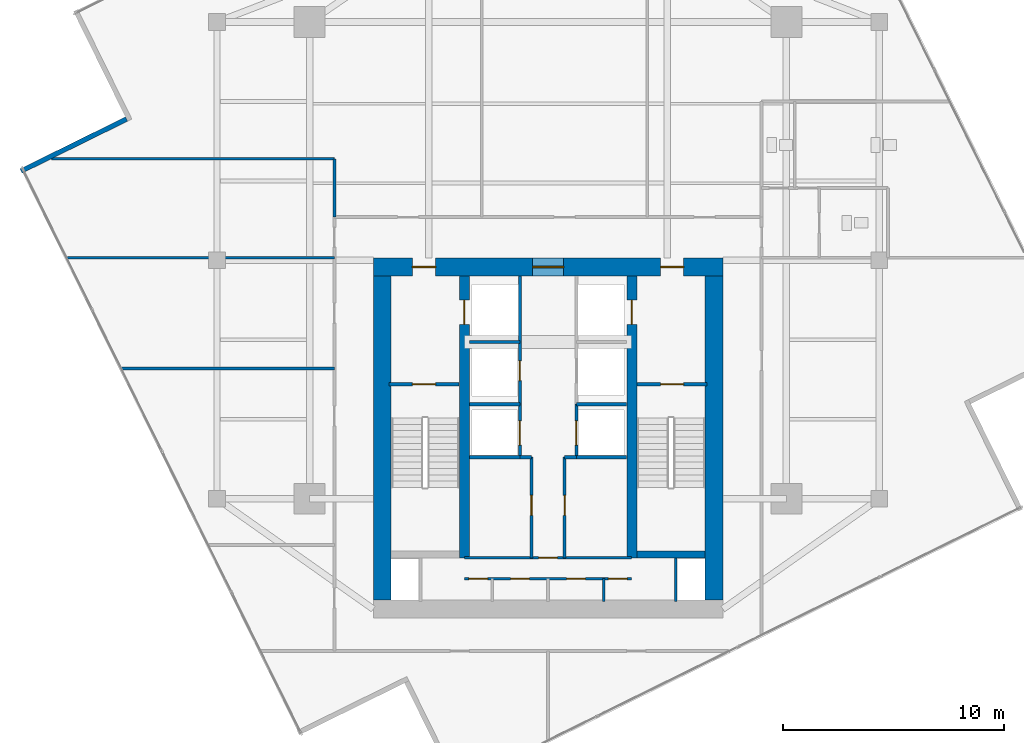
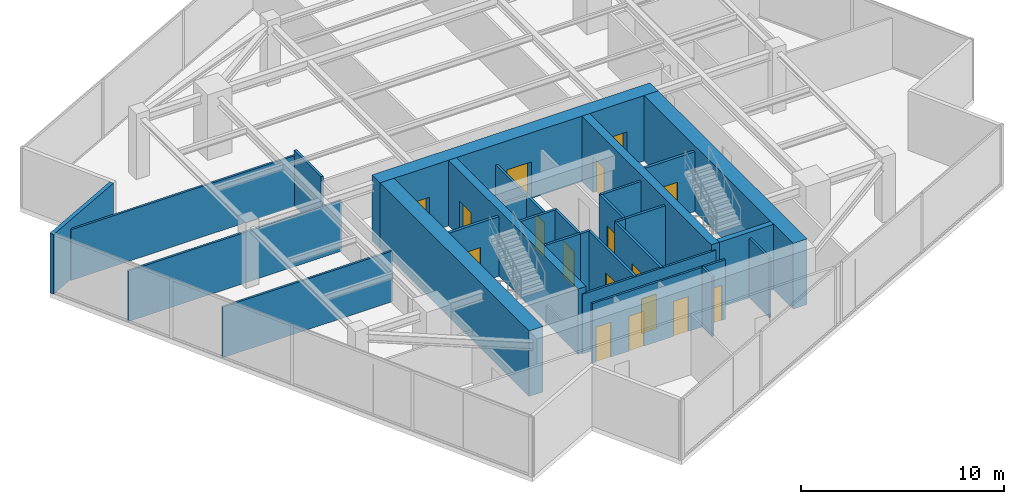
# One storey, part 19 of 22: 29 walls, 17 doors, 17 openings.
"""IFC4 building model written with IfcOpenShell, lengths in metres."""

import ifcopenshell
import ifcopenshell.guid

model = None  # the IFC model being written
_history = None  # IfcOwnerHistory: only IFC2X3 demands one
_inside = {}  # id of a spatial element -> (the spatial element, [elements in it])
_under = {}  # id of a project, library or spatial element -> (it, [spatial elements below it])
_declared = {}  # id of a project -> (the project, [libraries it declares])
_typed = {}  # id of a type object -> (the type object, [elements of that type])
_made_of = {}  # id of a material, layer set ... -> (it, [elements and type objects made of it])


def new_model(schema):
    """Start an empty IFC model of exactly this schema.

    Asked for "IFC4X3", IfcOpenShell would pick the latest addendum, in which some entities
    have other attributes; the version numbers below select the first issue.
    IFC2X3 requires an IfcOwnerHistory on every rooted entity: one is made here for all.
    """
    global model, _history
    if schema == "IFC4X3":
        model = ifcopenshell.file(schema_version=(4, 3, 0, 0))
    else:
        model = ifcopenshell.file(schema=schema)
    _inside.clear()
    _under.clear()
    _declared.clear()
    _typed.clear()
    _made_of.clear()
    _history = None
    if model.schema == "IFC2X3":
        org = make("IfcOrganization", Name="unknown")
        user = make(
            "IfcPersonAndOrganization",
            ThePerson=make("IfcPerson", FamilyName="unknown"),
            TheOrganization=org,
        )
        app = make(
            "IfcApplication",
            ApplicationDeveloper=org,
            Version="unknown",
            ApplicationFullName="unknown",
            ApplicationIdentifier="unknown",
        )
        _history = make(
            "IfcOwnerHistory",
            OwningUser=user,
            OwningApplication=app,
            ChangeAction="ADDED",
            CreationDate=0,
        )
    return model


def make(cls, **values):
    """One entity of the class cls with the attributes given. An attribute that is None is left unset."""
    return model.create_entity(
        cls, **{name: value for name, value in values.items() if value is not None}
    )


def rooted(cls, **values):
    """An entity with a GlobalId (a new one), such as an element, a storey or a relation."""
    return make(cls, GlobalId=ifcopenshell.guid.new(), OwnerHistory=_history, **values)


def si_unit(unit_type, name, prefix=None):
    """IfcSIUnit, for example si_unit("LENGTHUNIT", "METRE", prefix="MILLI")."""
    return make("IfcSIUnit", UnitType=unit_type, Prefix=prefix, Name=name)


def assignment(units):
    """IfcUnitAssignment: the units of a project."""
    return None if units is None else make("IfcUnitAssignment", Units=units)


def point(xyz):
    """IfcCartesianPoint."""
    return None if xyz is None else make("IfcCartesianPoint", Coordinates=xyz)


def direction(xyz):
    """IfcDirection."""
    return None if xyz is None else make("IfcDirection", DirectionRatios=xyz)


def frame(location, z_axis=None, x_axis=None):
    """IfcAxis2Placement3D, a coordinate frame: its origin and axes. An axis left out is left unset."""
    return make(
        "IfcAxis2Placement3D",
        Location=point(location),
        Axis=direction(z_axis),
        RefDirection=direction(x_axis),
    )


def frame_2d(location, x_axis=None):
    """IfcAxis2Placement2D, a coordinate frame in the plane: its origin and x axis."""
    return make(
        "IfcAxis2Placement2D", Location=point(location), RefDirection=direction(x_axis)
    )


def origin():
    """The frame at (0, 0, 0) with its axes left unset."""
    return frame((0.0, 0.0, 0.0))


def place(relative_to, where):
    """IfcLocalPlacement: puts the frame where relative to a parent placement (None: the world)."""
    return make(
        "IfcLocalPlacement", PlacementRelTo=relative_to, RelativePlacement=where
    )


def context(
    kind, dimensions, precision=None, world=None, true_north=None, identifier=None
):
    """IfcGeometricRepresentationContext, for example the 3D "Model" context."""
    return make(
        "IfcGeometricRepresentationContext",
        ContextIdentifier=identifier,
        ContextType=kind,
        CoordinateSpaceDimension=dimensions,
        Precision=precision,
        WorldCoordinateSystem=world,
        TrueNorth=true_north,
    )


def subcontext(parent, identifier, kind, view, scale=None):
    """IfcGeometricRepresentationSubContext, for example "Body" below "Model"."""
    return make(
        "IfcGeometricRepresentationSubContext",
        ContextIdentifier=identifier,
        ContextType=kind,
        ParentContext=parent,
        TargetScale=scale,
        TargetView=view,
    )


def project(units=None, contexts=None):
    """IfcProject with its units and contexts."""
    return rooted(
        "IfcProject",
        Name="project",
        RepresentationContexts=contexts,
        UnitsInContext=assignment(units),
    )


def spatial(cls, under=None, at=None, **own):
    """A site, building, storey or space (cls), placed at a placement, below another one or the project."""
    s = rooted(cls, ObjectPlacement=at, **own)
    if under is not None:
        _under.setdefault(under.id(), (under, []))[1].append(s)
    return s


def profile(cls, at=None, kind="AREA", **sizes):
    """A parametric profile (cls). Its sizes go by their IFC names, for example OverallWidth=200.0."""
    return make(cls, ProfileType=kind, Position=at, **sizes)


def rectangle(**sizes):
    """IfcRectangleProfileDef."""
    return profile("IfcRectangleProfileDef", **sizes)


def extrude(swept, where, along, depth):
    """IfcExtrudedAreaSolid: the profile swept, set in the frame where, extruded along a direction by depth."""
    return make(
        "IfcExtrudedAreaSolid",
        SweptArea=swept,
        Position=where,
        ExtrudedDirection=direction(along),
        Depth=depth,
    )


def shape(context_of_items, identifier, shape_type, items):
    """IfcShapeRepresentation: the items that make up one representation, for example the "Body"."""
    return make(
        "IfcShapeRepresentation",
        ContextOfItems=context_of_items,
        RepresentationIdentifier=identifier,
        RepresentationType=shape_type,
        Items=items,
    )


def material(Name=None, Category=None):
    """IfcMaterial."""
    return make("IfcMaterial", Name=Name, Category=Category)


def layer(
    of_material, thickness, ventilated=None, Name=None, Category=None, Priority=None
):
    """IfcMaterialLayer: one layer of a wall or slab, of a material (None: an air gap)."""
    return make(
        "IfcMaterialLayer",
        Material=of_material,
        LayerThickness=thickness,
        IsVentilated=ventilated,
        Name=Name,
        Category=Category,
        Priority=Priority,
    )


def layer_set(layers, Name=None):
    """IfcMaterialLayerSet."""
    return make("IfcMaterialLayerSet", MaterialLayers=layers, LayerSetName=Name)


def made_of(thing, what):
    """Note that an element or type object is made of a material, layer set ...; save() writes the relation."""
    if what is not None:
        _made_of.setdefault(what.id(), (what, []))[1].append(thing)
    return thing


def type_object(cls, material=None, **own):
    """A type object (cls), such as IfcWallType, which elements share."""
    return made_of(rooted(cls, **own), material)


def element(
    cls,
    number,
    at=None,
    inside=None,
    cuts=None,
    type_object=None,
    material=None,
    context=None,
    identifier="Body",
    shape_type=None,
    held_by="IfcProductDefinitionShape",
    body=None,
    shapes=None,
    **own,
):
    """One element of the class cls, such as IfcWall. Its Tag is "e" and its number.

    at: its placement. inside: the storey or other place that contains it. cuts: it is an
    opening in that element (IfcRelVoidsElement). A single representation is given by context,
    identifier, shape_type and body (its items); several are given by shapes. held_by: the class
    of the entity that holds the representations. save() writes the other relations.
    """
    e = rooted(cls, Tag="e%d" % number, ObjectPlacement=at, **own)
    if body is not None:
        shapes = [shape(context, identifier, shape_type, body)]
    if shapes is not None:
        e.Representation = make(held_by, Representations=shapes)
    if inside is not None:
        _inside.setdefault(inside.id(), (inside, []))[1].append(e)
    if cuts is not None:
        rooted(
            "IfcRelVoidsElement", RelatingBuildingElement=cuts, RelatedOpeningElement=e
        )
    if type_object is not None:
        _typed.setdefault(type_object.id(), (type_object, []))[1].append(e)
    return made_of(e, material)


def fill(opening, filler):
    """IfcRelFillsElement: the door or window that sits in an opening."""
    return rooted(
        "IfcRelFillsElement",
        RelatingOpeningElement=opening,
        RelatedBuildingElement=filler,
    )


def aggregate(whole, parts):
    """IfcRelAggregates: a whole, such as a stair, and the parts it consists of."""
    return rooted("IfcRelAggregates", RelatingObject=whole, RelatedObjects=parts)


def save(model, path):
    """Write the relations noted so far, then the file.

    IfcRelAggregates (storeys below a building ...), IfcRelContainedInSpatialStructure (elements
    in a storey), IfcRelDefinesByType, IfcRelAssociatesMaterial and IfcRelDeclares: one each for
    every whole, place, type object, material and project.
    """
    for whole, parts in _under.values():
        aggregate(whole, parts)
    for where, things in _inside.values():
        rooted(
            "IfcRelContainedInSpatialStructure",
            RelatedElements=things,
            RelatingStructure=where,
        )
    for kind, things in _typed.values():
        rooted("IfcRelDefinesByType", RelatedObjects=things, RelatingType=kind)
    for what, things in _made_of.values():
        rooted("IfcRelAssociatesMaterial", RelatedObjects=things, RelatingMaterial=what)
    for by, libraries in _declared.values():
        rooted("IfcRelDeclares", RelatingContext=by, RelatedDefinitions=libraries)
    model.write(path)


model = new_model("IFC4")

# Units and contexts
model_context = context("Model", 3, precision=1e-05, world=origin(), true_north=direction((0.0, 1.0)))
body_context = subcontext(model_context, "Body", "Model", "MODEL_VIEW")
ifc_project = project(units=[si_unit("LENGTHUNIT", "METRE"), si_unit("AREAUNIT", "SQUARE_METRE"), si_unit("VOLUMEUNIT", "CUBIC_METRE"), si_unit("PLANEANGLEUNIT", "RADIAN"), si_unit("MASSUNIT", "GRAM", prefix="KILO")], contexts=[model_context])

# Site, building, storey
site_placement = place(None, origin())
site = spatial("IfcSite", under=ifc_project, at=site_placement, CompositionType="ELEMENT")
building_placement = place(site_placement, origin())
building = spatial("IfcBuilding", under=site, at=building_placement, Name="Krantzveldt Concourse Tower", CompositionType="ELEMENT")
storey_placement = place(building_placement, frame((0.0, 0.0, 314.800048828125)))
storey = spatial("IfcBuildingStorey", under=building, at=storey_placement, Name="L77", CompositionType="ELEMENT", Elevation=314.800048828125)

# Wall
ifc_material_1 = material(Name="Anodised aluminium 6063-T6", Category="aluminium")
ifc_layer_1 = layer(ifc_material_1, 0.219970703125, Name="Anodised aluminium 6063-T6", Category="aluminium")
ifc_layer_set_1 = layer_set([ifc_layer_1], Name="Anodised aluminium 6063-T6 (WL-EXT-NOTCH220)")
wall_type_1 = type_object("IfcWallType", Name="WL-EXT-NOTCH220", PredefinedType="ELEMENTEDWALL", material=ifc_layer_set_1)
wall_1_placement = place(storey_placement, frame((16.898681640625, 33.101806640625, 0.0), z_axis=(0.0, 0.0, 1.0), x_axis=(-0.896889306105, -0.442255099003, 0.0)))
element("IfcWall", 1, at=wall_1_placement, inside=storey, type_object=wall_type_1, Name="EW-L77-NCH03", PredefinedType="ELEMENTEDWALL", context=body_context, shape_type="SweptSolid", body=[
    extrude(rectangle(XDim=5.324951171875, YDim=0.219970703125, at=frame_2d((2.66259765625, 0.0))), origin(), (0.0, 0.0, 1.0), 3.58984375),
])

# Wall, opening, door
ifc_material_2 = material(Name="Fire-rated gypsum plasterboard on steel stud", Category="steel")
ifc_layer_2 = layer(ifc_material_2, 0.1201171875, Name="Fire-rated gypsum plasterboard on steel stud", Category="steel")
ifc_layer_set_2 = layer_set([ifc_layer_2], Name="Fire-rated gypsum plasterboard on steel stud (WL-PART-120)")
wall_type_2 = type_object("IfcWallType", Name="WL-PART-120", PredefinedType="PARTITIONING", material=ifc_layer_set_2)
wall_2_placement = place(storey_placement, frame((32.2099609375, 13.219970703125, 0.0), z_axis=(0.0, 0.0, 1.0), x_axis=(1.0, 0.0, 0.0)))
wall_2 = element("IfcWall", 2, at=wall_2_placement, inside=storey, type_object=wall_type_2, Name="WP-L77-CS2H", PredefinedType="PARTITIONING", context=body_context, shape_type="SweptSolid", body=[
    extrude(rectangle(XDim=7.580078125, YDim=0.1201171875, at=frame_2d((3.7900390625, 0.0))), origin(), (0.0, 0.0, 1.0), 3.58984375),
])
opening_1_placement = place(wall_2_placement, frame((3.364990234375, 0.0, 0.0)))
opening_1 = element("IfcOpeningElement", 3, at=opening_1_placement, cuts=wall_2, Name="Opening D-IN085", PredefinedType="OPENING", context=body_context, shape_type="SweptSolid", body=[
    extrude(rectangle(XDim=0.85009765625, YDim=2.10009765625, at=frame_2d((0.425048828125, 1.050048828125))), frame((0.0, 0.070068359375, 0.0), z_axis=(0.0, -1.0, 0.0), x_axis=(1.0, 0.0, 0.0)), (0.0, 0.0, 1.0), 0.14013671875),
])
ifc_material_3 = material(Name="Hardwood timber", Category="wood")
door_type_1 = type_object("IfcDoorType", Name="DR-INT-850", OperationType="SINGLE_SWING_LEFT", PredefinedType="DOOR", material=ifc_material_3)
door_1_placement = place(opening_1_placement, origin())
door_1 = element("IfcDoor", 4, at=door_1_placement, inside=storey, type_object=door_type_1, Name="DR-L77-LLBS", OperationType="SINGLE_SWING_RIGHT", OverallHeight=2.10009765625, OverallWidth=0.85009765625, PredefinedType="DOOR", context=body_context, shape_type="SweptSolid", body=[
    extrude(rectangle(XDim=0.85009765625, YDim=2.10009765625, at=frame_2d((0.425048828125, 1.050048828125))), frame((0.0, 0.02490234375, 0.0), z_axis=(0.0, -1.0, 0.0), x_axis=(1.0, 0.0, 0.0)), (0.0, 0.0, 1.0), 0.050048828125),
])
fill(opening_1, door_1)

# Wall, openings, doors
wall_3_placement = place(storey_placement, frame((32.2099609375, 12.280029296875, 0.0), z_axis=(0.0, 0.0, 1.0), x_axis=(1.0, 0.0, 0.0)))
wall_3 = element("IfcWall", 5, at=wall_3_placement, inside=storey, type_object=wall_type_2, Name="WP-L77-CSD-HM", PredefinedType="PARTITIONING", context=body_context, shape_type="SweptSolid", body=[
    extrude(rectangle(XDim=7.580078125, YDim=0.1201171875, at=frame_2d((3.7900390625, 0.0))), origin(), (0.0, 0.0, 1.0), 3.58984375),
])
opening_2_placement = place(wall_3_placement, frame((0.205078125, 0.0, 0.0)))
opening_2 = element("IfcOpeningElement", 6, at=opening_2_placement, cuts=wall_3, Name="Opening D-IN085", PredefinedType="OPENING", context=body_context, shape_type="SweptSolid", body=[
    extrude(rectangle(XDim=0.85009765625, YDim=2.10009765625, at=frame_2d((0.425048828125, 1.050048828125))), frame((0.0, 0.070068359375, 0.0), z_axis=(0.0, -1.0, 0.0), x_axis=(1.0, 0.0, 0.0)), (0.0, 0.0, 1.0), 0.14013671875),
])
opening_3_placement = place(wall_3_placement, frame((2.094970703125, 0.0, 0.0)))
opening_3 = element("IfcOpeningElement", 7, at=opening_3_placement, cuts=wall_3, Name="Opening D-IN085", PredefinedType="OPENING", context=body_context, shape_type="SweptSolid", body=[
    extrude(rectangle(XDim=0.85009765625, YDim=2.10009765625, at=frame_2d((0.425048828125, 1.050048828125))), frame((0.0, 0.070068359375, 0.0), z_axis=(0.0, -1.0, 0.0), x_axis=(1.0, 0.0, 0.0)), (0.0, 0.0, 1.0), 0.14013671875),
])
opening_4_placement = place(wall_3_placement, frame((4.635009765625, 0.0, 0.0)))
opening_4 = element("IfcOpeningElement", 8, at=opening_4_placement, cuts=wall_3, Name="Opening D-IN085", PredefinedType="OPENING", context=body_context, shape_type="SweptSolid", body=[
    extrude(rectangle(XDim=0.85009765625, YDim=2.10009765625, at=frame_2d((0.425048828125, 1.050048828125))), frame((0.0, 0.070068359375, 0.0), z_axis=(0.0, -1.0, 0.0), x_axis=(1.0, 0.0, 0.0)), (0.0, 0.0, 1.0), 0.14013671875),
])
opening_5_placement = place(wall_3_placement, frame((6.52490234375, 0.0, 0.0)))
opening_5 = element("IfcOpeningElement", 9, at=opening_5_placement, cuts=wall_3, Name="Opening D-IN085", PredefinedType="OPENING", context=body_context, shape_type="SweptSolid", body=[
    extrude(rectangle(XDim=0.85009765625, YDim=2.10009765625, at=frame_2d((0.425048828125, 1.050048828125))), frame((0.0, 0.070068359375, 0.0), z_axis=(0.0, -1.0, 0.0), x_axis=(1.0, 0.0, 0.0)), (0.0, 0.0, 1.0), 0.14013671875),
])
door_2_placement = place(opening_2_placement, origin())
door_2 = element("IfcDoor", 10, at=door_2_placement, inside=storey, type_object=door_type_1, Name="DR-L77-CSD1", OperationType="SINGLE_SWING_RIGHT", OverallHeight=2.10009765625, OverallWidth=0.85009765625, PredefinedType="DOOR", context=body_context, shape_type="SweptSolid", body=[
    extrude(rectangle(XDim=0.85009765625, YDim=2.10009765625, at=frame_2d((0.425048828125, 1.050048828125))), frame((0.0, 0.02490234375, 0.0), z_axis=(0.0, -1.0, 0.0), x_axis=(1.0, 0.0, 0.0)), (0.0, 0.0, 1.0), 0.050048828125),
])
fill(opening_2, door_2)
door_3_placement = place(opening_3_placement, origin())
door_3 = element("IfcDoor", 11, at=door_3_placement, inside=storey, type_object=door_type_1, Name="DR-L77-CSD2", OperationType="SINGLE_SWING_RIGHT", OverallHeight=2.10009765625, OverallWidth=0.85009765625, PredefinedType="DOOR", context=body_context, shape_type="SweptSolid", body=[
    extrude(rectangle(XDim=0.85009765625, YDim=2.10009765625, at=frame_2d((0.425048828125, 1.050048828125))), frame((0.0, 0.02490234375, 0.0), z_axis=(0.0, -1.0, 0.0), x_axis=(1.0, 0.0, 0.0)), (0.0, 0.0, 1.0), 0.050048828125),
])
fill(opening_3, door_3)
door_4_placement = place(opening_4_placement, origin())
door_4 = element("IfcDoor", 12, at=door_4_placement, inside=storey, type_object=door_type_1, Name="DR-L77-CSD3", OperationType="SINGLE_SWING_RIGHT", OverallHeight=2.10009765625, OverallWidth=0.85009765625, PredefinedType="DOOR", context=body_context, shape_type="SweptSolid", body=[
    extrude(rectangle(XDim=0.85009765625, YDim=2.10009765625, at=frame_2d((0.425048828125, 1.050048828125))), frame((0.0, 0.02490234375, 0.0), z_axis=(0.0, -1.0, 0.0), x_axis=(1.0, 0.0, 0.0)), (0.0, 0.0, 1.0), 0.050048828125),
])
fill(opening_4, door_4)
door_5_placement = place(opening_5_placement, origin())
door_5 = element("IfcDoor", 13, at=door_5_placement, inside=storey, type_object=door_type_1, Name="DR-L77-CSD4", OperationType="SINGLE_SWING_RIGHT", OverallHeight=2.10009765625, OverallWidth=0.85009765625, PredefinedType="DOOR", context=body_context, shape_type="SweptSolid", body=[
    extrude(rectangle(XDim=0.85009765625, YDim=2.10009765625, at=frame_2d((0.425048828125, 1.050048828125))), frame((0.0, 0.02490234375, 0.0), z_axis=(0.0, -1.0, 0.0), x_axis=(1.0, 0.0, 0.0)), (0.0, 0.0, 1.0), 0.050048828125),
])
fill(opening_5, door_5)

# Walls
wall_4_placement = place(storey_placement, frame((38.530029296875, 11.25, 0.0), z_axis=(0.0, 0.0, 1.0), x_axis=(0.0, 1.0, 0.0)))
element("IfcWall", 14, at=wall_4_placement, inside=storey, type_object=wall_type_2, Name="WP-L77-CSD-V3", PredefinedType="PARTITIONING", context=body_context, shape_type="SweptSolid", body=[
    extrude(rectangle(XDim=1.030029296875, YDim=0.1201171875, at=frame_2d((0.51513671875, 0.0))), origin(), (0.0, 0.0, 1.0), 3.58984375),
])
wall_5_placement = place(storey_placement, frame((14.1875, 26.820068359375, 0.0), z_axis=(0.0, 0.0, 1.0), x_axis=(1.0, 0.0, 0.0)))
element("IfcWall", 15, at=wall_5_placement, inside=storey, type_object=wall_type_2, Name="WP-L77-PNTS", PredefinedType="PARTITIONING", context=body_context, shape_type="SweptSolid", body=[
    extrude(rectangle(XDim=12.132568359375, YDim=0.1201171875, at=frame_2d((6.06640625, 0.0))), origin(), (0.0, 0.0, 1.0), 3.050048828125),
])
wall_6_placement = place(storey_placement, frame((13.5048828125, 31.300048828125, 0.0), z_axis=(0.0, 0.0, 1.0), x_axis=(1.0, 0.0, 0.0)))
element("IfcWall", 16, at=wall_6_placement, inside=storey, type_object=wall_type_2, Name="WP-L77-PNTN", PredefinedType="PARTITIONING", context=body_context, shape_type="SweptSolid", body=[
    extrude(rectangle(XDim=12.815185546875, YDim=0.1201171875, at=frame_2d((6.40771484375, 0.0))), origin(), (0.0, 0.0, 1.0), 3.050048828125),
])
wall_7_placement = place(storey_placement, frame((16.6630859375, 21.800048828125, 0.0), z_axis=(0.0, 0.0, 1.0), x_axis=(1.0, 0.0, 0.0)))
element("IfcWall", 17, at=wall_7_placement, inside=storey, type_object=wall_type_2, Name="WP-L77-WD2", PredefinedType="PARTITIONING", context=body_context, shape_type="SweptSolid", body=[
    extrude(rectangle(XDim=9.656982421875, YDim=0.1201171875, at=frame_2d((4.82861328125, 0.0))), origin(), (0.0, 0.0, 1.0), 3.050048828125),
])
ifc_layer_3 = layer(ifc_material_2, 0.139892578125, Name="Fire-rated gypsum plasterboard on steel stud", Category="steel")
ifc_layer_set_3 = layer_set([ifc_layer_3], Name="Fire-rated gypsum plasterboard on steel stud (WL-PART-140)")
wall_type_3 = type_object("IfcWallType", Name="WL-PART-140", PredefinedType="PARTITIONING", material=ifc_layer_set_3)
wall_8_placement = place(storey_placement, frame((26.320068359375, 28.659912109375, 0.0), z_axis=(0.0, 0.0, 1.0), x_axis=(0.0, 1.0, 0.0)))
element("IfcWall", 18, at=wall_8_placement, inside=storey, type_object=wall_type_3, Name="WP-L77-NWL", PredefinedType="PARTITIONING", context=body_context, shape_type="SweptSolid", body=[
    extrude(rectangle(XDim=2.64013671875, YDim=0.139892578125, at=frame_2d((1.320068359375, 0.0))), origin(), (0.0, 0.0, 1.0), 3.349853515625),
])

# Wall, opening, door
ifc_layer_4 = layer(ifc_material_2, 0.139892578125, Name="Fire-rated gypsum plasterboard on steel stud", Category="steel")
ifc_layer_set_4 = layer_set([ifc_layer_4], Name="Fire-rated gypsum plasterboard on steel stud (WL-PART-FR140)")
wall_type_4 = type_object("IfcWallType", Name="WL-PART-FR140", PredefinedType="PARTITIONING", material=ifc_layer_set_4)
wall_9_placement = place(storey_placement, frame((34.719970703125, 20.199951171875, 0.0), z_axis=(0.0, 0.0, 1.0), x_axis=(0.0, 1.0, 0.0)))
wall_9 = element("IfcWall", 19, at=wall_9_placement, inside=storey, type_object=wall_type_4, Name="WP-L77-SHNW", PredefinedType="PARTITIONING", context=body_context, shape_type="SweptSolid", body=[
    extrude(rectangle(XDim=5.780029296875, YDim=0.139892578125, at=frame_2d((2.89013671875, 0.0))), origin(), (0.0, 0.0, 1.0), 2.739990234375),
])
opening_6_placement = place(wall_9_placement, frame((1.050048828125, 0.0, 0.0)))
opening_6 = element("IfcOpeningElement", 20, at=opening_6_placement, cuts=wall_9, Name="Opening D-FD090", PredefinedType="OPENING", context=body_context, shape_type="SweptSolid", body=[
    extrude(rectangle(XDim=0.89990234375, YDim=2.10009765625, at=frame_2d((0.449951171875, 1.050048828125))), frame((0.0, 0.080078125, 0.0), z_axis=(0.0, -1.0, 0.0), x_axis=(1.0, 0.0, 0.0)), (0.0, 0.0, 1.0), 0.159912109375),
])
door_type_2 = type_object("IfcDoorType", Name="DR-FD60-900", OperationType="SINGLE_SWING_LEFT", PredefinedType="DOOR", material=ifc_material_3)
door_6_placement = place(opening_6_placement, origin())
door_6 = element("IfcDoor", 21, at=door_6_placement, inside=storey, type_object=door_type_2, Name="Electrical Riser Access Door L77", OperationType="SINGLE_SWING_LEFT", OverallHeight=2.10009765625, OverallWidth=0.89990234375, PredefinedType="DOOR", context=body_context, shape_type="SweptSolid", body=[
    extrude(rectangle(XDim=0.89990234375, YDim=2.10009765625, at=frame_2d((0.449951171875, 1.050048828125))), frame((0.0, 0.02490234375, 0.0), z_axis=(0.0, -1.0, 0.0), x_axis=(1.0, 0.0, 0.0)), (0.0, 0.0, 1.0), 0.050048828125),
])
fill(opening_6, door_6)

# Wall
wall_10_placement = place(storey_placement, frame((32.449951171875, 23.0, 0.0), z_axis=(0.0, 0.0, 1.0), x_axis=(1.0, 0.0, 0.0)))
element("IfcWall", 22, at=wall_10_placement, inside=storey, type_object=wall_type_4, Name="WP-L77-RISH", PredefinedType="PARTITIONING", context=body_context, shape_type="SweptSolid", body=[
    extrude(rectangle(XDim=2.27001953125, YDim=0.139892578125, at=frame_2d((1.135009765625, 0.0))), origin(), (0.0, 0.0, 1.0), 2.739990234375),
])

# Wall, opening, door
wall_11_placement = place(storey_placement, frame((34.719970703125, 17.780029296875, 0.0), z_axis=(0.0, 0.0, 1.0), x_axis=(0.0, 1.0, 0.0)))
wall_11 = element("IfcWall", 23, at=wall_11_placement, inside=storey, type_object=wall_type_4, Name="WP-L77-SHNW2", PredefinedType="PARTITIONING", context=body_context, shape_type="SweptSolid", body=[
    extrude(rectangle(XDim=2.419921875, YDim=0.139892578125, at=frame_2d((1.2099609375, 0.0))), origin(), (0.0, 0.0, 1.0), 3.58984375),
])
opening_7_placement = place(wall_11_placement, frame((0.550048828125, 0.0, 0.0)))
opening_7 = element("IfcOpeningElement", 24, at=opening_7_placement, cuts=wall_11, Name="Opening LD", PredefinedType="OPENING", context=body_context, shape_type="SweptSolid", body=[
    extrude(rectangle(XDim=1.10009765625, YDim=2.14990234375, at=frame_2d((0.550048828125, 1.074951171875))), frame((0.0, 0.080078125, 0.0), z_axis=(0.0, -1.0, 0.0), x_axis=(1.0, 0.0, 0.0)), (0.0, 0.0, 1.0), 0.159912109375),
])
ifc_material_4 = material(Name="Stainless steel 316L", Category="steel")
door_type_3 = type_object("IfcDoorType", Name="DR-SLIDE-LD1100", OperationType="DOUBLE_DOOR_SLIDING", PredefinedType="DOOR", material=ifc_material_4)
door_7_placement = place(opening_7_placement, origin())
door_7 = element("IfcDoor", 25, at=door_7_placement, inside=storey, type_object=door_type_3, Name="LD-L77-PH1", OperationType="DOUBLE_DOOR_SLIDING", OverallHeight=2.14990234375, OverallWidth=1.10009765625, PredefinedType="DOOR", context=body_context, shape_type="SweptSolid", body=[
    extrude(rectangle(XDim=1.10009765625, YDim=2.14990234375, at=frame_2d((0.550048828125, 1.074951171875))), frame((0.0, 0.02490234375, 0.0), z_axis=(0.0, -1.0, 0.0), x_axis=(1.0, 0.0, 0.0)), (0.0, 0.0, 1.0), 0.050048828125),
])
fill(opening_7, door_7)

wall_12_placement = place(storey_placement, frame((37.280029296875, 17.780029296875, 0.0), z_axis=(0.0, 0.0, 1.0), x_axis=(0.0, 1.0, 0.0)))
wall_12 = element("IfcWall", 26, at=wall_12_placement, inside=storey, type_object=wall_type_4, Name="WP-L77-SHNE2", PredefinedType="PARTITIONING", context=body_context, shape_type="SweptSolid", body=[
    extrude(rectangle(XDim=2.419921875, YDim=0.139892578125, at=frame_2d((1.2099609375, 0.0))), origin(), (0.0, 0.0, 1.0), 3.58984375),
])
opening_8_placement = place(wall_12_placement, frame((0.550048828125, 0.0, 0.0)))
opening_8 = element("IfcOpeningElement", 27, at=opening_8_placement, cuts=wall_12, Name="Opening LD", PredefinedType="OPENING", context=body_context, shape_type="SweptSolid", body=[
    extrude(rectangle(XDim=1.10009765625, YDim=2.14990234375, at=frame_2d((0.550048828125, 1.074951171875))), frame((0.0, 0.080078125, 0.0), z_axis=(0.0, -1.0, 0.0), x_axis=(1.0, 0.0, 0.0)), (0.0, 0.0, 1.0), 0.159912109375),
])
door_8_placement = place(opening_8_placement, origin())
door_8 = element("IfcDoor", 28, at=door_8_placement, inside=storey, type_object=door_type_3, Name="LD-L77-PH2", OperationType="DOUBLE_DOOR_SLIDING", OverallHeight=2.14990234375, OverallWidth=1.10009765625, PredefinedType="DOOR", context=body_context, shape_type="SweptSolid", body=[
    extrude(rectangle(XDim=1.10009765625, YDim=2.14990234375, at=frame_2d((0.550048828125, 1.074951171875))), frame((0.0, 0.02490234375, 0.0), z_axis=(0.0, -1.0, 0.0), x_axis=(1.0, 0.0, 0.0)), (0.0, 0.0, 1.0), 0.050048828125),
])
fill(opening_8, door_8)

# Walls
for number, where, z_axis, x_axis, name in (
    (29, (32.449951171875, 17.780029296875, 0.0), (0.0, 0.0, 1.0), (1.0, 0.0, 0.0), "WP-L77-DIVW2"),
    (30, (32.449951171875, 20.179931640625, 0.0), (0.0, 0.0, 1.0), (1.0, 0.0, 0.0), "WP-L77-DIVW3"),
    (31, (37.280029296875, 17.780029296875, 0.0), (0.0, 0.0, 1.0), (1.0, 0.0, 0.0), "WP-L77-DIVE2"),
    (32, (37.280029296875, 20.179931640625, 0.0), (0.0, 0.0, 1.0), (1.0, 0.0, 0.0), "WP-L77-DIVE3"),
):
    element("IfcWall", number, at=place(storey_placement, frame(where, z_axis=z_axis, x_axis=x_axis)), inside=storey, type_object=wall_type_4, Name=name, PredefinedType="PARTITIONING", context=body_context, shape_type="SweptSolid", body=[
        extrude(rectangle(XDim=2.27001953125, YDim=0.139892578125, at=frame_2d((1.135009765625, 0.0))), origin(), (0.0, 0.0, 1.0), 3.58984375),
    ])

# Wall, opening, door
wall_13_placement = place(storey_placement, frame((35.25, 13.219970703125, 0.0), z_axis=(0.0, 0.0, 1.0), x_axis=(0.0, 1.0, 0.0)))
wall_13 = element("IfcWall", 33, at=wall_13_placement, inside=storey, type_object=wall_type_4, Name="WP-L77-RECW", PredefinedType="PARTITIONING", context=body_context, shape_type="SweptSolid", body=[
    extrude(rectangle(XDim=4.56005859375, YDim=0.139892578125, at=frame_2d((2.280029296875, 0.0))), origin(), (0.0, 0.0, 1.0), 3.58984375),
])
opening_9_placement = place(wall_13_placement, frame((1.929931640625, 0.0, 0.0)))
opening_9 = element("IfcOpeningElement", 34, at=opening_9_placement, cuts=wall_13, Name="Opening D-FD090", PredefinedType="OPENING", context=body_context, shape_type="SweptSolid", body=[
    extrude(rectangle(XDim=0.89990234375, YDim=2.10009765625, at=frame_2d((0.449951171875, 1.050048828125))), frame((0.0, 0.080078125, 0.0), z_axis=(0.0, -1.0, 0.0), x_axis=(1.0, 0.0, 0.0)), (0.0, 0.0, 1.0), 0.159912109375),
])
door_9_placement = place(opening_9_placement, origin())
door_9 = element("IfcDoor", 35, at=door_9_placement, inside=storey, type_object=door_type_2, Name="DR-L77-RECW", OperationType="SINGLE_SWING_LEFT", OverallHeight=2.10009765625, OverallWidth=0.89990234375, PredefinedType="DOOR", context=body_context, shape_type="SweptSolid", body=[
    extrude(rectangle(XDim=0.89990234375, YDim=2.10009765625, at=frame_2d((0.449951171875, 1.050048828125))), frame((0.0, 0.02490234375, 0.0), z_axis=(0.0, -1.0, 0.0), x_axis=(1.0, 0.0, 0.0)), (0.0, 0.0, 1.0), 0.050048828125),
])
fill(opening_9, door_9)

# Wall
wall_14_placement = place(storey_placement, frame((34.719970703125, 17.780029296875, 0.0), z_axis=(0.0, 0.0, 1.0), x_axis=(1.0, 0.0, 0.0)))
element("IfcWall", 36, at=wall_14_placement, inside=storey, type_object=wall_type_4, Name="WP-L77-RECWN", PredefinedType="PARTITIONING", context=body_context, shape_type="SweptSolid", body=[
    extrude(rectangle(XDim=0.530029296875, YDim=0.139892578125, at=frame_2d((0.26513671875, 0.0))), origin(), (0.0, 0.0, 1.0), 3.58984375),
])

# Wall, opening, door
wall_15_placement = place(storey_placement, frame((36.75, 13.219970703125, 0.0), z_axis=(0.0, 0.0, 1.0), x_axis=(0.0, 1.0, 0.0)))
wall_15 = element("IfcWall", 37, at=wall_15_placement, inside=storey, type_object=wall_type_4, Name="WP-L77-RECE", PredefinedType="PARTITIONING", context=body_context, shape_type="SweptSolid", body=[
    extrude(rectangle(XDim=4.56005859375, YDim=0.139892578125, at=frame_2d((2.280029296875, 0.0))), origin(), (0.0, 0.0, 1.0), 3.58984375),
])
opening_10_placement = place(wall_15_placement, frame((1.929931640625, 0.0, 0.0)))
opening_10 = element("IfcOpeningElement", 38, at=opening_10_placement, cuts=wall_15, Name="Opening D-FD090", PredefinedType="OPENING", context=body_context, shape_type="SweptSolid", body=[
    extrude(rectangle(XDim=0.89990234375, YDim=2.10009765625, at=frame_2d((0.449951171875, 1.050048828125))), frame((0.0, 0.080078125, 0.0), z_axis=(0.0, -1.0, 0.0), x_axis=(1.0, 0.0, 0.0)), (0.0, 0.0, 1.0), 0.159912109375),
])
door_10_placement = place(opening_10_placement, origin())
door_10 = element("IfcDoor", 39, at=door_10_placement, inside=storey, type_object=door_type_2, Name="DR-L77-RECE", OperationType="SINGLE_SWING_RIGHT", OverallHeight=2.10009765625, OverallWidth=0.89990234375, PredefinedType="DOOR", context=body_context, shape_type="SweptSolid", body=[
    extrude(rectangle(XDim=0.89990234375, YDim=2.10009765625, at=frame_2d((0.449951171875, 1.050048828125))), frame((0.0, 0.02490234375, 0.0), z_axis=(0.0, -1.0, 0.0), x_axis=(1.0, 0.0, 0.0)), (0.0, 0.0, 1.0), 0.050048828125),
])
fill(opening_10, door_10)

# Walls
wall_16_placement = place(storey_placement, frame((36.75, 17.780029296875, 0.0), z_axis=(0.0, 0.0, 1.0), x_axis=(1.0, 0.0, 0.0)))
element("IfcWall", 40, at=wall_16_placement, inside=storey, type_object=wall_type_4, Name="WP-L77-RECEN", PredefinedType="PARTITIONING", context=body_context, shape_type="SweptSolid", body=[
    extrude(rectangle(XDim=0.530029296875, YDim=0.139892578125, at=frame_2d((0.26513671875, 0.0))), origin(), (0.0, 0.0, 1.0), 3.58984375),
])
wall_17_placement = place(storey_placement, frame((41.780029296875, 11.25, 0.0), z_axis=(0.0, 0.0, 1.0), x_axis=(0.0, 1.0, 0.0)))
element("IfcWall", 41, at=wall_17_placement, inside=storey, type_object=wall_type_4, Name="WP-L77-RSE", PredefinedType="PARTITIONING", context=body_context, shape_type="SweptSolid", body=[
    extrude(rectangle(XDim=1.969970703125, YDim=0.1201171875, at=frame_2d((0.98486328125, 0.0))), origin(), (0.0, 0.0, 1.0), 3.58984375),
])

# Wall, opening, door
ifc_layer_5 = layer(ifc_material_2, 0.159912109375, Name="Fire-rated gypsum plasterboard on steel stud", Category="steel")
ifc_layer_set_5 = layer_set([ifc_layer_5], Name="Fire-rated gypsum plasterboard on steel stud (WL-PART-FR160)")
wall_type_5 = type_object("IfcWallType", Name="WL-PART-FR160", PredefinedType="PARTITIONING", material=ifc_layer_set_5)
wall_18_placement = place(storey_placement, frame((28.800048828125, 21.080078125, 0.0), z_axis=(0.0, 0.0, 1.0), x_axis=(1.0, 0.0, 0.0)))
wall_18 = element("IfcWall", 42, at=wall_18_placement, inside=storey, type_object=wall_type_5, Name="WP-L77-ST1", PredefinedType="PARTITIONING", context=body_context, shape_type="SweptSolid", body=[
    extrude(rectangle(XDim=3.159912109375, YDim=0.159912109375, at=frame_2d((1.580078125, 0.0))), origin(), (0.0, 0.0, 1.0), 3.58984375),
])
opening_11_placement = place(wall_18_placement, frame((1.054931640625, 0.0, 0.0)))
opening_11 = element("IfcOpeningElement", 43, at=opening_11_placement, cuts=wall_18, Name="Opening D-FD105", PredefinedType="OPENING", context=body_context, shape_type="SweptSolid", body=[
    extrude(rectangle(XDim=1.050048828125, YDim=2.10009765625, at=frame_2d((0.52490234375, 1.050048828125))), frame((0.0, 0.08984375, 0.0), z_axis=(0.0, -1.0, 0.0), x_axis=(1.0, 0.0, 0.0)), (0.0, 0.0, 1.0), 0.179931640625),
])
ifc_material_5 = material(Name="Galvanised steel", Category="steel")
door_type_4 = type_object("IfcDoorType", Name="DR-FD120-1050", OperationType="SINGLE_SWING_LEFT", PredefinedType="DOOR", material=ifc_material_5)
door_11_placement = place(opening_11_placement, origin())
door_11 = element("IfcDoor", 44, at=door_11_placement, inside=storey, type_object=door_type_4, Name="DR-L77-ST1", OperationType="SINGLE_SWING_RIGHT", OverallHeight=2.10009765625, OverallWidth=1.050048828125, PredefinedType="DOOR", context=body_context, shape_type="SweptSolid", body=[
    extrude(rectangle(XDim=1.050048828125, YDim=2.10009765625, at=frame_2d((0.52490234375, 1.050048828125))), frame((0.0, 0.02490234375, 0.0), z_axis=(0.0, -1.0, 0.0), x_axis=(1.0, 0.0, 0.0)), (0.0, 0.0, 1.0), 0.050048828125),
])
fill(opening_11, door_11)

wall_19_placement = place(storey_placement, frame((40.0400390625, 21.080078125, 0.0), z_axis=(0.0, 0.0, 1.0), x_axis=(1.0, 0.0, 0.0)))
wall_19 = element("IfcWall", 45, at=wall_19_placement, inside=storey, type_object=wall_type_5, Name="WP-L77-ST2", PredefinedType="PARTITIONING", context=body_context, shape_type="SweptSolid", body=[
    extrude(rectangle(XDim=3.159912109375, YDim=0.159912109375, at=frame_2d((1.580078125, 0.0))), origin(), (0.0, 0.0, 1.0), 3.58984375),
])
opening_12_placement = place(wall_19_placement, frame((1.054931640625, 0.0, 0.0)))
opening_12 = element("IfcOpeningElement", 46, at=opening_12_placement, cuts=wall_19, Name="Opening D-FD105", PredefinedType="OPENING", context=body_context, shape_type="SweptSolid", body=[
    extrude(rectangle(XDim=1.050048828125, YDim=2.10009765625, at=frame_2d((0.52490234375, 1.050048828125))), frame((0.0, 0.08984375, 0.0), z_axis=(0.0, -1.0, 0.0), x_axis=(1.0, 0.0, 0.0)), (0.0, 0.0, 1.0), 0.179931640625),
])
door_12_placement = place(opening_12_placement, origin())
door_12 = element("IfcDoor", 47, at=door_12_placement, inside=storey, type_object=door_type_4, Name="DR-L77-ST2", OperationType="SINGLE_SWING_LEFT", OverallHeight=2.10009765625, OverallWidth=1.050048828125, PredefinedType="DOOR", context=body_context, shape_type="SweptSolid", body=[
    extrude(rectangle(XDim=1.050048828125, YDim=2.10009765625, at=frame_2d((0.52490234375, 1.050048828125))), frame((0.0, 0.02490234375, 0.0), z_axis=(0.0, -1.0, 0.0), x_axis=(1.0, 0.0, 0.0)), (0.0, 0.0, 1.0), 0.050048828125),
])
fill(opening_12, door_12)

# Wall
ifc_material_6 = material(Name="Concrete C50/60", Category="concrete")
ifc_layer_6 = layer(ifc_material_6, 0.300048828125, Name="Concrete C50/60", Category="concrete")
ifc_layer_set_6 = layer_set([ifc_layer_6], Name="Concrete C50/60 (WL-SHEAR-300)")
wall_type_6 = type_object("IfcWallType", Name="WL-SHEAR-300", PredefinedType="SHEAR", material=ifc_layer_set_6)
wall_20_placement = place(storey_placement, frame((40.02001953125, 13.3701171875, 0.0), z_axis=(0.0, 0.0, 1.0), x_axis=(1.0, 0.0, 0.0)))
element("IfcWall", 48, at=wall_20_placement, inside=storey, type_object=wall_type_6, Name="CW-L77-ST2S", PredefinedType="SHEAR", context=body_context, shape_type="SweptSolid", body=[
    extrude(rectangle(XDim=3.10009765625, YDim=0.300048828125, at=frame_2d((1.550048828125, 0.0))), origin(), (0.0, 0.0, 1.0), 3.949951171875),
])

# Wall, opening, door
ifc_layer_7 = layer(ifc_material_6, 0.449951171875, Name="Concrete C50/60", Category="concrete")
ifc_layer_set_7 = layer_set([ifc_layer_7], Name="Concrete C50/60 (WL-SHEAR-450)")
wall_type_7 = type_object("IfcWallType", Name="WL-SHEAR-450", PredefinedType="SHEAR", material=ifc_layer_set_7)
wall_21_placement = place(storey_placement, frame((32.205078125, 13.219970703125, 0.0), z_axis=(0.0, 0.0, 1.0), x_axis=(0.0, 1.0, 0.0)))
wall_21 = element("IfcWall", 49, at=wall_21_placement, inside=storey, type_object=wall_type_7, Name="CW-L77-IW", PredefinedType="SHEAR", context=body_context, shape_type="SweptSolid", body=[
    extrude(rectangle(XDim=12.780029296875, YDim=0.449951171875, at=frame_2d((6.39013671875, 0.0))), origin(), (0.0, 0.0, 1.0), 3.949951171875),
])
opening_13_placement = place(wall_21_placement, frame((10.580078125, 0.0, 0.0)))
opening_13 = element("IfcOpeningElement", 50, at=opening_13_placement, cuts=wall_21, Name="Opening LD", PredefinedType="OPENING", context=body_context, shape_type="SweptSolid", body=[
    extrude(rectangle(XDim=1.10009765625, YDim=2.14990234375, at=frame_2d((0.550048828125, 1.074951171875))), frame((0.0, 0.23486328125, 0.0), z_axis=(0.0, -1.0, 0.0), x_axis=(1.0, 0.0, 0.0)), (0.0, 0.0, 1.0), 0.469970703125),
])
door_13_placement = place(opening_13_placement, origin())
door_13 = element("IfcDoor", 51, at=door_13_placement, inside=storey, type_object=door_type_3, Name="LD-L77-FL1", OperationType="DOUBLE_DOOR_SLIDING", OverallHeight=2.14990234375, OverallWidth=1.10009765625, PredefinedType="DOOR", context=body_context, shape_type="SweptSolid", body=[
    extrude(rectangle(XDim=1.10009765625, YDim=2.14990234375, at=frame_2d((0.550048828125, 1.074951171875))), frame((0.0, 0.02490234375, 0.0), z_axis=(0.0, -1.0, 0.0), x_axis=(1.0, 0.0, 0.0)), (0.0, 0.0, 1.0), 0.050048828125),
])
fill(opening_13, door_13)

wall_22_placement = place(storey_placement, frame((39.794921875, 13.219970703125, 0.0), z_axis=(0.0, 0.0, 1.0), x_axis=(0.0, 1.0, 0.0)))
wall_22 = element("IfcWall", 52, at=wall_22_placement, inside=storey, type_object=wall_type_7, Name="CW-L77-IE", PredefinedType="SHEAR", context=body_context, shape_type="SweptSolid", body=[
    extrude(rectangle(XDim=12.780029296875, YDim=0.449951171875, at=frame_2d((6.39013671875, 0.0))), origin(), (0.0, 0.0, 1.0), 3.949951171875),
])
opening_14_placement = place(wall_22_placement, frame((10.580078125, 0.0, 0.0)))
opening_14 = element("IfcOpeningElement", 53, at=opening_14_placement, cuts=wall_22, Name="Opening LD", PredefinedType="OPENING", context=body_context, shape_type="SweptSolid", body=[
    extrude(rectangle(XDim=1.10009765625, YDim=2.14990234375, at=frame_2d((0.550048828125, 1.074951171875))), frame((0.0, 0.23486328125, 0.0), z_axis=(0.0, -1.0, 0.0), x_axis=(1.0, 0.0, 0.0)), (0.0, 0.0, 1.0), 0.469970703125),
])
door_14_placement = place(opening_14_placement, origin())
door_14 = element("IfcDoor", 54, at=door_14_placement, inside=storey, type_object=door_type_3, Name="LD-L77-FL2", OperationType="DOUBLE_DOOR_SLIDING", OverallHeight=2.14990234375, OverallWidth=1.10009765625, PredefinedType="DOOR", context=body_context, shape_type="SweptSolid", body=[
    extrude(rectangle(XDim=1.10009765625, YDim=2.14990234375, at=frame_2d((0.550048828125, 1.074951171875))), frame((0.0, 0.02490234375, 0.0), z_axis=(0.0, -1.0, 0.0), x_axis=(1.0, 0.0, 0.0)), (0.0, 0.0, 1.0), 0.050048828125),
])
fill(opening_14, door_14)

# Wall, openings, doors
ifc_material_7 = material(Name="Concrete C60/75", Category="concrete")
ifc_layer_8 = layer(ifc_material_7, 0.800048828125, Name="Concrete C60/75", Category="concrete")
ifc_layer_set_8 = layer_set([ifc_layer_8], Name="Concrete C60/75 (WL-SHEAR-800)")
wall_type_8 = type_object("IfcWallType", Name="WL-SHEAR-800", PredefinedType="SHEAR", material=ifc_layer_set_8)
wall_23_placement = place(storey_placement, frame((28.080078125, 26.39990234375, 0.0), z_axis=(0.0, 0.0, 1.0), x_axis=(1.0, 0.0, 0.0)))
wall_23 = element("IfcWall", 55, at=wall_23_placement, inside=storey, type_object=wall_type_8, Name="CW-L77-N", PredefinedType="SHEAR", context=body_context, shape_type="SweptSolid", body=[
    extrude(rectangle(XDim=15.83984375, YDim=0.800048828125, at=frame_2d((7.919921875, 0.0))), origin(), (0.0, 0.0, 1.0), 3.949951171875),
])
opening_15_placement = place(wall_23_placement, frame((7.219970703125, 0.0, 0.0)))
opening_15 = element("IfcOpeningElement", 56, at=opening_15_placement, cuts=wall_23, Name="Opening D-DB140", PredefinedType="OPENING", context=body_context, shape_type="SweptSolid", body=[
    extrude(rectangle(XDim=1.39990234375, YDim=2.199951171875, at=frame_2d((0.699951171875, 1.10009765625))), frame((0.0, 0.41015625, 0.0), z_axis=(0.0, -1.0, 0.0), x_axis=(1.0, 0.0, 0.0)), (0.0, 0.0, 1.0), 0.820068359375),
])
opening_16_placement = place(wall_23_placement, frame((1.77490234375, 0.0, 0.0)))
opening_16 = element("IfcOpeningElement", 57, at=opening_16_placement, cuts=wall_23, Name="Opening D-FD105", PredefinedType="OPENING", context=body_context, shape_type="SweptSolid", body=[
    extrude(rectangle(XDim=1.050048828125, YDim=2.10009765625, at=frame_2d((0.52490234375, 1.050048828125))), frame((0.0, 0.41015625, 0.0), z_axis=(0.0, -1.0, 0.0), x_axis=(1.0, 0.0, 0.0)), (0.0, 0.0, 1.0), 0.820068359375),
])
opening_17_placement = place(wall_23_placement, frame((13.014892578125, 0.0, 0.0)))
opening_17 = element("IfcOpeningElement", 58, at=opening_17_placement, cuts=wall_23, Name="Opening D-FD105", PredefinedType="OPENING", context=body_context, shape_type="SweptSolid", body=[
    extrude(rectangle(XDim=1.050048828125, YDim=2.10009765625, at=frame_2d((0.52490234375, 1.050048828125))), frame((0.0, 0.41015625, 0.0), z_axis=(0.0, -1.0, 0.0), x_axis=(1.0, 0.0, 0.0)), (0.0, 0.0, 1.0), 0.820068359375),
])
door_type_5 = type_object("IfcDoorType", Name="DR-DBL-1400", OperationType="DOUBLE_DOOR_SINGLE_SWING", PredefinedType="DOOR", material=ifc_material_1)
door_15_placement = place(opening_15_placement, origin())
door_15 = element("IfcDoor", 59, at=door_15_placement, inside=storey, type_object=door_type_5, Name="DR-L77-LLB", OperationType="DOUBLE_DOOR_SINGLE_SWING", OverallHeight=2.199951171875, OverallWidth=1.39990234375, PredefinedType="DOOR", context=body_context, shape_type="SweptSolid", body=[
    extrude(rectangle(XDim=1.39990234375, YDim=2.199951171875, at=frame_2d((0.699951171875, 1.10009765625))), frame((0.0, 0.02490234375, 0.0), z_axis=(0.0, -1.0, 0.0), x_axis=(1.0, 0.0, 0.0)), (0.0, 0.0, 1.0), 0.050048828125),
])
fill(opening_15, door_15)
door_16_placement = place(opening_16_placement, origin())
door_16 = element("IfcDoor", 60, at=door_16_placement, inside=storey, type_object=door_type_4, Name="DR-L77-FFL1", OperationType="SINGLE_SWING_LEFT", OverallHeight=2.10009765625, OverallWidth=1.050048828125, PredefinedType="DOOR", context=body_context, shape_type="SweptSolid", body=[
    extrude(rectangle(XDim=1.050048828125, YDim=2.10009765625, at=frame_2d((0.52490234375, 1.050048828125))), frame((0.0, 0.02490234375, 0.0), z_axis=(0.0, -1.0, 0.0), x_axis=(1.0, 0.0, 0.0)), (0.0, 0.0, 1.0), 0.050048828125),
])
fill(opening_16, door_16)
door_17_placement = place(opening_17_placement, origin())
door_17 = element("IfcDoor", 61, at=door_17_placement, inside=storey, type_object=door_type_4, Name="DR-L77-FFL2", OperationType="SINGLE_SWING_RIGHT", OverallHeight=2.10009765625, OverallWidth=1.050048828125, PredefinedType="DOOR", context=body_context, shape_type="SweptSolid", body=[
    extrude(rectangle(XDim=1.050048828125, YDim=2.10009765625, at=frame_2d((0.52490234375, 1.050048828125))), frame((0.0, 0.02490234375, 0.0), z_axis=(0.0, -1.0, 0.0), x_axis=(1.0, 0.0, 0.0)), (0.0, 0.0, 1.0), 0.050048828125),
])
fill(opening_17, door_17)

# Walls
for number, where, z_axis, x_axis, name in (
    (62, (28.47998046875, 11.300048828125, 0.0), (0.0, 0.0, 1.0), (0.0, 1.0, 0.0), "CW-L77-W"),
    (63, (43.52001953125, 11.300048828125, 0.0), (0.0, 0.0, 1.0), (0.0, 1.0, 0.0), "CW-L77-E"),
):
    element("IfcWall", number, at=place(storey_placement, frame(where, z_axis=z_axis, x_axis=x_axis)), inside=storey, type_object=wall_type_8, Name=name, PredefinedType="SHEAR", context=body_context, shape_type="SweptSolid", body=[
        extrude(rectangle(XDim=14.699951171875, YDim=0.800048828125, at=frame_2d((7.35009765625, 0.0))), origin(), (0.0, 0.0, 1.0), 3.949951171875),
    ])

save(model, "model.ifc")
